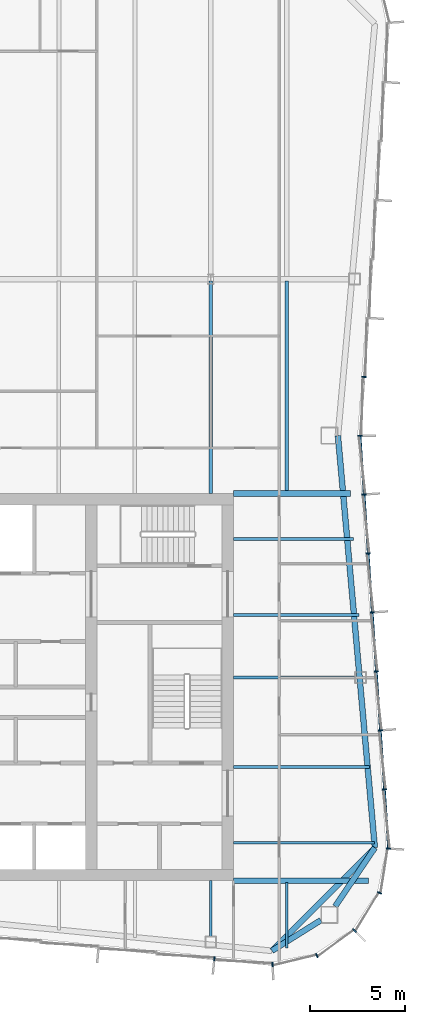
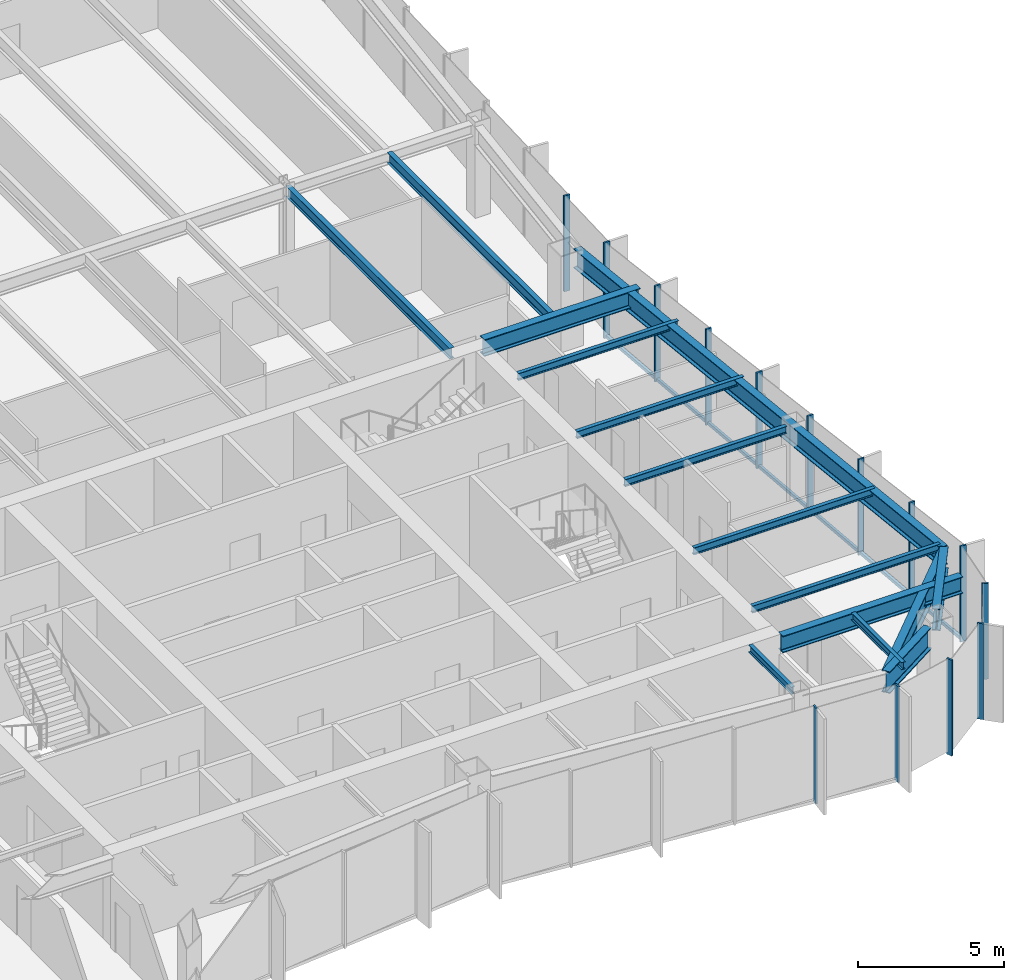
# One storey, part 5 of 13: 15 beams, 15 members, 3 elements without a shape of their own.
"""IFC4 building model written with IfcOpenShell, lengths in metres."""

from ifc_helpers import new_model, si_unit, direction, frame, origin, origin_2d, place, context, subcontext, project, spatial, rectangle, i_section, extrude, material, material_profile, profile_set, type_object, element, aggregate, save


model = new_model("IFC4")

# Units and contexts
model_context = context("Model", 3, precision=1e-05, world=origin(), true_north=direction((0.0, 1.0)))
body_context = subcontext(model_context, "Body", "Model", "MODEL_VIEW")
ifc_project = project(units=[si_unit("LENGTHUNIT", "METRE"), si_unit("AREAUNIT", "SQUARE_METRE"), si_unit("VOLUMEUNIT", "CUBIC_METRE"), si_unit("PLANEANGLEUNIT", "RADIAN"), si_unit("MASSUNIT", "GRAM", prefix="KILO")], contexts=[model_context])

# Site, building, storey
site_placement = place(None, origin())
site = spatial("IfcSite", under=ifc_project, at=site_placement, CompositionType="ELEMENT")
building_placement = place(site_placement, origin())
building = spatial("IfcBuilding", under=site, at=building_placement, Name="Verdant Reach Tower", CompositionType="ELEMENT")
storey_placement = place(building_placement, frame((0.0, 0.0, 330.0)))
storey = spatial("IfcBuildingStorey", under=building, at=storey_placement, Name="L76", CompositionType="ELEMENT", Elevation=330.0)

# Curtain wall, members
ifc_material_1 = material(Name="Anodised aluminium", Category="aluminium")
curtain_wall_type = type_object("IfcCurtainWallType", Name="EN-CW SYSTEM Z5", PredefinedType="NOTDEFINED", material=ifc_material_1)
curtain_wall_1_placement = place(storey_placement, origin())
curtain_wall_1 = element("IfcCurtainWall", 1, at=curtain_wall_1_placement, inside=storey, type_object=curtain_wall_type, Name="Curtain wall south-east corner, L76", PredefinedType="NOTDEFINED")
ifc_material_profile_1 = material_profile(ifc_material_1, rectangle(XDim=0.22998046875, YDim=0.070068359375, at=origin_2d()), Name="Mullion 70x230")
ifc_profile_set_1 = profile_set([ifc_material_profile_1], Name="Anodised aluminium")
member_type_1 = type_object("IfcMemberType", Name="EN-MULLION Z5", PredefinedType="MULLION", material=ifc_profile_set_1)
member_1_placement = place(storey_placement, frame((15.255615234375, 13.38525390625, -0.35009765625), z_axis=(0.0, 0.0, 1.0), x_axis=(0.049127596288, -0.998792510626, 0.0)))
member_1 = element("IfcMember", 2, at=member_1_placement, type_object=member_type_1, Name="Mullion south-east corner 1, L76", PredefinedType="MULLION", context=body_context, shape_type="SweptSolid", body=[
    extrude(rectangle(XDim=0.22998046875, YDim=0.070068359375, at=origin_2d()), origin(), (0.0, 0.0, 1.0), 4.0),
])
member_2_placement = place(storey_placement, frame((17.590087890625, 13.850341796875, -0.35009765625), z_axis=(0.0, 0.0, 1.0), x_axis=(0.382693853776, -0.923875215753, 0.0)))
member_2 = element("IfcMember", 3, at=member_2_placement, type_object=member_type_1, Name="Mullion south-east corner 2, L76", PredefinedType="MULLION", context=body_context, shape_type="SweptSolid", body=[
    extrude(rectangle(XDim=0.22998046875, YDim=0.070068359375, at=origin_2d()), origin(), (0.0, 0.0, 1.0), 4.0),
])
member_3_placement = place(storey_placement, frame((19.573974609375, 15.176025390625, -0.35009765625), z_axis=(0.0, 0.0, 1.0), x_axis=(0.707106781187, -0.707106781187, 0.0)))
member_3 = element("IfcMember", 4, at=member_3_placement, type_object=member_type_1, Name="Mullion south-east corner 3, L76", PredefinedType="MULLION", context=body_context, shape_type="SweptSolid", body=[
    extrude(rectangle(XDim=0.22998046875, YDim=0.070068359375, at=origin_2d()), origin(), (0.0, 0.0, 1.0), 4.0),
])
member_4_placement = place(storey_placement, frame((20.899658203125, 17.159912109375, -0.35009765625), z_axis=(0.0, 0.0, 1.0), x_axis=(0.923875215753, -0.382693853776, 0.0)))
member_4 = element("IfcMember", 5, at=member_4_placement, type_object=member_type_1, Name="Mullion south-east corner 4, L76", PredefinedType="MULLION", context=body_context, shape_type="SweptSolid", body=[
    extrude(rectangle(XDim=0.22998046875, YDim=0.070068359375, at=origin_2d()), origin(), (0.0, 0.0, 1.0), 4.0),
])
aggregate(curtain_wall_1, [member_1, member_2, member_3, member_4])

curtain_wall_2_placement = place(storey_placement, origin())
curtain_wall_2 = element("IfcCurtainWall", 6, at=curtain_wall_2_placement, inside=storey, type_object=curtain_wall_type, Name="Curtain wall east, L76", PredefinedType="NOTDEFINED")
member_5_placement = place(storey_placement, frame((21.36474609375, 19.49267578125, -0.35009765625), z_axis=(0.0, 0.0, 1.0), x_axis=(0.997969180898, -0.063698618332, 0.0)))
member_5 = element("IfcMember", 7, at=member_5_placement, type_object=member_type_1, Name="Mullion east face part 1 1, L76", PredefinedType="MULLION", context=body_context, shape_type="SweptSolid", body=[
    extrude(rectangle(XDim=0.22998046875, YDim=0.070068359375, at=origin_2d()), origin(), (0.0, 0.0, 1.0), 4.0),
])
member_6_placement = place(storey_placement, frame((21.150390625, 22.614990234375, -0.35009765625), z_axis=(0.0, 0.0, 1.0), x_axis=(0.997630328423, 0.068802091615, 0.0)))
member_6 = element("IfcMember", 8, at=member_6_placement, type_object=member_type_1, Name="Mullion east face part 1 2, L76", PredefinedType="MULLION", context=body_context, shape_type="SweptSolid", body=[
    extrude(rectangle(XDim=0.22998046875, YDim=0.070068359375, at=origin_2d()), origin(), (0.0, 0.0, 1.0), 4.0),
])
member_7_placement = place(storey_placement, frame((20.93603515625, 25.72216796875, -0.35009765625), z_axis=(0.0, 0.0, 1.0), x_axis=(0.997630328423, 0.068802091615, 0.0)))
member_7 = element("IfcMember", 9, at=member_7_placement, type_object=member_type_1, Name="Mullion east face part 1 3, L76", PredefinedType="MULLION", context=body_context, shape_type="SweptSolid", body=[
    extrude(rectangle(XDim=0.22998046875, YDim=0.070068359375, at=origin_2d()), origin(), (0.0, 0.0, 1.0), 4.0),
])
member_8_placement = place(storey_placement, frame((20.721923828125, 28.829345703125, -0.35009765625), z_axis=(0.0, 0.0, 1.0), x_axis=(0.997630328423, 0.068802091615, 0.0)))
member_8 = element("IfcMember", 10, at=member_8_placement, type_object=member_type_1, Name="Mullion east face part 1 4, L76", PredefinedType="MULLION", context=body_context, shape_type="SweptSolid", body=[
    extrude(rectangle(XDim=0.22998046875, YDim=0.070068359375, at=origin_2d()), origin(), (0.0, 0.0, 1.0), 4.0),
])
member_9_placement = place(storey_placement, frame((20.507568359375, 31.9365234375, -0.35009765625), z_axis=(0.0, 0.0, 1.0), x_axis=(0.997630328423, 0.068802091615, 0.0)))
member_9 = element("IfcMember", 11, at=member_9_placement, type_object=member_type_1, Name="Mullion east face part 1 5, L76", PredefinedType="MULLION", context=body_context, shape_type="SweptSolid", body=[
    extrude(rectangle(XDim=0.22998046875, YDim=0.070068359375, at=origin_2d()), origin(), (0.0, 0.0, 1.0), 4.0),
])
member_10_placement = place(storey_placement, frame((20.293212890625, 35.043701171875, -0.35009765625), z_axis=(0.0, 0.0, 1.0), x_axis=(0.997630328423, 0.068802091615, 0.0)))
member_10 = element("IfcMember", 12, at=member_10_placement, type_object=member_type_1, Name="Mullion east face part 1 6, L76", PredefinedType="MULLION", context=body_context, shape_type="SweptSolid", body=[
    extrude(rectangle(XDim=0.22998046875, YDim=0.070068359375, at=origin_2d()), origin(), (0.0, 0.0, 1.0), 4.0),
])
member_11_placement = place(storey_placement, frame((20.0791015625, 38.15087890625, -0.35009765625), z_axis=(0.0, 0.0, 1.0), x_axis=(0.997630328423, 0.068802091615, 0.0)))
member_11 = element("IfcMember", 13, at=member_11_placement, type_object=member_type_1, Name="Mullion east face part 1 7, L76", PredefinedType="MULLION", context=body_context, shape_type="SweptSolid", body=[
    extrude(rectangle(XDim=0.22998046875, YDim=0.070068359375, at=origin_2d()), origin(), (0.0, 0.0, 1.0), 4.0),
])
member_12_placement = place(storey_placement, frame((19.864990234375, 41.25, -0.35009765625), z_axis=(0.0, 0.0, 1.0), x_axis=(1.0, 0.0, 0.0)))
member_12 = element("IfcMember", 14, at=member_12_placement, type_object=member_type_1, Name="Mullion east face part 2 1, L76", PredefinedType="MULLION", context=body_context, shape_type="SweptSolid", body=[
    extrude(rectangle(XDim=0.22998046875, YDim=0.070068359375, at=origin_2d()), origin(), (0.0, 0.0, 1.0), 4.0),
])
member_13_placement = place(storey_placement, frame((20.0791015625, 44.34912109375, -0.35009765625), z_axis=(0.0, 0.0, 1.0), x_axis=(0.997630328423, -0.068802091615, 0.0)))
member_13 = element("IfcMember", 15, at=member_13_placement, type_object=member_type_1, Name="Mullion east face part 2 2, L76", PredefinedType="MULLION", context=body_context, shape_type="SweptSolid", body=[
    extrude(rectangle(XDim=0.22998046875, YDim=0.070068359375, at=origin_2d()), origin(), (0.0, 0.0, 1.0), 4.0),
])

# Curtain wall, member
curtain_wall_3_placement = place(storey_placement, origin())
curtain_wall_3 = element("IfcCurtainWall", 16, at=curtain_wall_3_placement, inside=storey, type_object=curtain_wall_type, Name="Curtain wall south, L76", PredefinedType="NOTDEFINED")
member_14_placement = place(storey_placement, frame((12.188720703125, 13.685546875, -0.35009765625), z_axis=(0.0, 0.0, 1.0), x_axis=(-0.09788826992, -0.995197410875, 0.0)))
member_14 = element("IfcMember", 17, at=member_14_placement, type_object=member_type_1, Name="Mullion south face part 2 5, L76", PredefinedType="MULLION", context=body_context, shape_type="SweptSolid", body=[
    extrude(rectangle(XDim=0.22998046875, YDim=0.070068359375, at=origin_2d()), origin(), (0.0, 0.0, 1.0), 4.0),
])
aggregate(curtain_wall_3, [member_14])

# Member
ifc_material_profile_2 = material_profile(ifc_material_1, rectangle(XDim=0.10009765625, YDim=0.1298828125, at=origin_2d()), Name="Transom 130x100")
ifc_profile_set_2 = profile_set([ifc_material_profile_2], Name="Anodised aluminium")
member_type_2 = type_object("IfcMemberType", Name="EN-TRANSOM Z5", PredefinedType="USERDEFINED", material=ifc_profile_set_2)
member_15_placement = place(storey_placement, frame((21.3623046875, 19.527587890625, -0.284912109375), z_axis=(-0.068764705107, 0.997632906099, 0.0), x_axis=(-0.997632906099, -0.068764705107, 0.0)))
member_15 = element("IfcMember", 18, at=member_15_placement, type_object=member_type_2, Name="Transom east face part 1 1.1, L76", ObjectType="TRANSOM", PredefinedType="USERDEFINED", context=body_context, shape_type="SweptSolid", body=[
    extrude(rectangle(XDim=0.10009765625, YDim=0.1298828125, at=origin_2d()), origin(), (0.0, 0.0, 1.0), 21.739013671875),
])

aggregate(curtain_wall_2, [member_5, member_6, member_7, member_8, member_9, member_10, member_11, member_15, member_12, member_13])

# Beams
ifc_material_2 = material(Name="Steel S355", Category="steel")
ifc_material_profile_3 = material_profile(ifc_material_2, i_section(OverallWidth=0.300048828125, OverallDepth=0.699951171875, WebThickness=0.01708984375, FlangeThickness=0.031982421875, FilletRadius=0.027099609375, at=origin_2d()), Name="HEB 700")
ifc_profile_set_3 = profile_set([ifc_material_profile_3], Name="Steel S355")
beam_type_1 = type_object("IfcBeamType", Name="ST-BEAM-HEB700", PredefinedType="BEAM", material=ifc_profile_set_3)
beam_1_placement = place(storey_placement, frame((13.199951171875, 38.199951171875, 3.469970703125), z_axis=(1.0, 0.0, 0.0), x_axis=(0.0, 1.0, 0.0)))
element("IfcBeam", 19, at=beam_1_placement, inside=storey, type_object=beam_type_1, Name="Trimmer beam, L76", PredefinedType="BEAM", context=body_context, shape_type="SweptSolid", body=[
    extrude(i_section(OverallWidth=0.300048828125, OverallDepth=0.699951171875, WebThickness=0.01708984375, FlangeThickness=0.031982421875, FilletRadius=0.027099609375, at=origin_2d()), origin(), (0.0, 0.0, 1.0), 6.158935546875),
])
beam_2_placement = place(storey_placement, frame((13.199951171875, 17.800048828125, 3.469970703125), z_axis=(1.0, 0.0, 0.0), x_axis=(0.0, 1.0, 0.0)))
element("IfcBeam", 20, at=beam_2_placement, inside=storey, type_object=beam_type_1, Name="Trimmer beam, L76", PredefinedType="BEAM", context=body_context, shape_type="SweptSolid", body=[
    extrude(i_section(OverallWidth=0.300048828125, OverallDepth=0.699951171875, WebThickness=0.01708984375, FlangeThickness=0.031982421875, FilletRadius=0.027099609375, at=origin_2d()), origin(), (0.0, 0.0, 1.0), 7.10009765625),
])
ifc_material_profile_4 = material_profile(ifc_material_2, i_section(OverallWidth=0.302001953125, OverallDepth=0.909912109375, WebThickness=0.02099609375, FlangeThickness=0.0400390625, FilletRadius=0.030029296875, at=origin_2d()), Name="HEM 900")
ifc_profile_set_4 = profile_set([ifc_material_profile_4], Name="Steel S355")
beam_type_2 = type_object("IfcBeamType", Name="ST-BEAM-HEM900", PredefinedType="BEAM", material=ifc_profile_set_4)
beam_3_placement = place(storey_placement, frame((17.800048828125, 15.71875, 3.364990234375), z_axis=(-0.847903624467, -0.530150397166, 0.0), x_axis=(0.530150397166, -0.847903624467, 0.0)))
element("IfcBeam", 21, at=beam_3_placement, inside=storey, type_object=beam_type_2, Name="Column stub beam, L76", PredefinedType="BEAM", context=body_context, shape_type="SweptSolid", body=[
    extrude(i_section(OverallWidth=0.302001953125, OverallDepth=0.909912109375, WebThickness=0.02099609375, FlangeThickness=0.0400390625, FilletRadius=0.030029296875, at=origin_2d()), origin(), (0.0, 0.0, 1.0), 3.042724609375),
])
beam_4_placement = place(storey_placement, frame((18.5546875, 16.449951171875, 3.364990234375), z_axis=(0.560667226688, 0.828041219335, 0.0), x_axis=(-0.828041219335, 0.560667226688, 0.0)))
element("IfcBeam", 22, at=beam_4_placement, inside=storey, type_object=beam_type_2, Name="Column stub beam, L76", PredefinedType="BEAM", context=body_context, shape_type="SweptSolid", body=[
    extrude(i_section(OverallWidth=0.302001953125, OverallDepth=0.909912109375, WebThickness=0.02099609375, FlangeThickness=0.0400390625, FilletRadius=0.030029296875, at=origin_2d()), origin(), (0.0, 0.0, 1.0), 3.72998046875),
])
ifc_material_profile_5 = material_profile(ifc_material_2, i_section(OverallWidth=0.14990234375, OverallDepth=0.300048828125, WebThickness=0.007080078125, FlangeThickness=0.0107421875, FilletRadius=0.014892578125, at=origin_2d()), Name="IPE 300")
ifc_profile_set_5 = profile_set([ifc_material_profile_5], Name="Steel S355")
beam_type_3 = type_object("IfcBeamType", Name="ST-JOIST-IPE300", PredefinedType="JOIST", material=ifc_profile_set_5)
beam_5_placement = place(storey_placement, frame((12.0, 17.800048828125, 3.669921875), z_axis=(0.0, -1.0, 0.0), x_axis=(1.0, 0.0, 0.0)))
element("IfcBeam", 23, at=beam_5_placement, inside=storey, type_object=beam_type_3, Name="Floor joist, L76", PredefinedType="JOIST", context=body_context, shape_type="SweptSolid", body=[
    extrude(i_section(OverallWidth=0.14990234375, OverallDepth=0.300048828125, WebThickness=0.007080078125, FlangeThickness=0.0107421875, FilletRadius=0.014892578125, at=origin_2d()), origin(), (0.0, 0.0, 1.0), 2.930419921875),
])
beam_6_placement = place(storey_placement, frame((16.0, 17.699951171875, 3.669921875), z_axis=(0.0, -1.0, 0.0), x_axis=(1.0, 0.0, 0.0)))
element("IfcBeam", 24, at=beam_6_placement, inside=storey, type_object=beam_type_3, Name="Floor joist, L76", PredefinedType="JOIST", context=body_context, shape_type="SweptSolid", body=[
    extrude(i_section(OverallWidth=0.14990234375, OverallDepth=0.300048828125, WebThickness=0.007080078125, FlangeThickness=0.0107421875, FilletRadius=0.014892578125, at=origin_2d()), origin(), (0.0, 0.0, 1.0), 3.43896484375),
])
beam_7_placement = place(storey_placement, frame((13.199951171875, 19.800048828125, 3.669921875), z_axis=(1.0, 0.0, 0.0), x_axis=(0.0, 1.0, 0.0)))
element("IfcBeam", 25, at=beam_7_placement, inside=storey, type_object=beam_type_3, Name="Floor joist, L76", PredefinedType="JOIST", context=body_context, shape_type="SweptSolid", body=[
    extrude(i_section(OverallWidth=0.14990234375, OverallDepth=0.300048828125, WebThickness=0.007080078125, FlangeThickness=0.0107421875, FilletRadius=0.014892578125, at=origin_2d()), origin(), (0.0, 0.0, 1.0), 7.427978515625),
])
beam_8_placement = place(storey_placement, frame((13.199951171875, 23.800048828125, 3.669921875), z_axis=(1.0, 0.0, 0.0), x_axis=(0.0, 1.0, 0.0)))
element("IfcBeam", 26, at=beam_8_placement, inside=storey, type_object=beam_type_3, Name="Floor joist, L76", PredefinedType="JOIST", context=body_context, shape_type="SweptSolid", body=[
    extrude(i_section(OverallWidth=0.14990234375, OverallDepth=0.300048828125, WebThickness=0.007080078125, FlangeThickness=0.0107421875, FilletRadius=0.014892578125, at=origin_2d()), origin(), (0.0, 0.0, 1.0), 7.152099609375),
])
beam_9_placement = place(storey_placement, frame((13.199951171875, 28.5, 3.669921875), z_axis=(1.0, 0.0, 0.0), x_axis=(0.0, 1.0, 0.0)))
element("IfcBeam", 27, at=beam_9_placement, inside=storey, type_object=beam_type_3, Name="Floor joist, L76", PredefinedType="JOIST", context=body_context, shape_type="SweptSolid", body=[
    extrude(i_section(OverallWidth=0.14990234375, OverallDepth=0.300048828125, WebThickness=0.007080078125, FlangeThickness=0.0107421875, FilletRadius=0.014892578125, at=origin_2d()), origin(), (0.0, 0.0, 1.0), 6.37939453125),
])
beam_10_placement = place(storey_placement, frame((13.199951171875, 31.800048828125, 3.669921875), z_axis=(1.0, 0.0, 0.0), x_axis=(0.0, 1.0, 0.0)))
element("IfcBeam", 28, at=beam_10_placement, inside=storey, type_object=beam_type_3, Name="Floor joist, L76", PredefinedType="JOIST", context=body_context, shape_type="SweptSolid", body=[
    extrude(i_section(OverallWidth=0.14990234375, OverallDepth=0.300048828125, WebThickness=0.007080078125, FlangeThickness=0.0107421875, FilletRadius=0.014892578125, at=origin_2d()), origin(), (0.0, 0.0, 1.0), 6.600341796875),
])
beam_11_placement = place(storey_placement, frame((13.199951171875, 35.800048828125, 3.669921875), z_axis=(1.0, 0.0, 0.0), x_axis=(0.0, 1.0, 0.0)))
element("IfcBeam", 29, at=beam_11_placement, inside=storey, type_object=beam_type_3, Name="Floor joist, L76", PredefinedType="JOIST", context=body_context, shape_type="SweptSolid", body=[
    extrude(i_section(OverallWidth=0.14990234375, OverallDepth=0.300048828125, WebThickness=0.007080078125, FlangeThickness=0.0107421875, FilletRadius=0.014892578125, at=origin_2d()), origin(), (0.0, 0.0, 1.0), 6.324462890625),
])
ifc_material_profile_6 = material_profile(ifc_material_2, i_section(OverallWidth=0.18994140625, OverallDepth=0.449951171875, WebThickness=0.009521484375, FlangeThickness=0.0146484375, FilletRadius=0.02099609375, at=origin_2d()), Name="IPE 450")
ifc_profile_set_6 = profile_set([ifc_material_profile_6], Name="Steel S355")
beam_type_4 = type_object("IfcBeamType", Name="ST-JOIST-IPE450", PredefinedType="JOIST", material=ifc_profile_set_6)
beam_12_placement = place(storey_placement, frame((12.0, 38.199951171875, 3.594970703125), z_axis=(0.0, 1.0, 0.0), x_axis=(-1.0, 0.0, 0.0)))
element("IfcBeam", 30, at=beam_12_placement, inside=storey, type_object=beam_type_4, Name="Floor joist, L76", PredefinedType="JOIST", context=body_context, shape_type="SweptSolid", body=[
    extrude(i_section(OverallWidth=0.18994140625, OverallDepth=0.449951171875, WebThickness=0.009521484375, FlangeThickness=0.0146484375, FilletRadius=0.02099609375, at=origin_2d()), origin(), (0.0, 0.0, 1.0), 11.199951171875),
])
beam_13_placement = place(storey_placement, frame((16.0, 38.300048828125, 3.594970703125), z_axis=(0.0, 1.0, 0.0), x_axis=(-1.0, 0.0, 0.0)))
element("IfcBeam", 31, at=beam_13_placement, inside=storey, type_object=beam_type_4, Name="Floor joist, L76", PredefinedType="JOIST", context=body_context, shape_type="SweptSolid", body=[
    extrude(i_section(OverallWidth=0.18994140625, OverallDepth=0.449951171875, WebThickness=0.009521484375, FlangeThickness=0.0146484375, FilletRadius=0.02099609375, at=origin_2d()), origin(), (0.0, 0.0, 1.0), 11.099853515625),
])
ifc_material_profile_7 = material_profile(ifc_material_2, i_section(OverallWidth=0.300048828125, OverallDepth=0.800048828125, WebThickness=0.017578125, FlangeThickness=0.032958984375, FilletRadius=0.030029296875, at=origin_2d()), Name="HEB 800")
ifc_profile_set_7 = profile_set([ifc_material_profile_7], Name="Steel S355")
beam_type_5 = type_object("IfcBeamType", Name="ST-SPANDREL-HEB800", PredefinedType="SPANDREL", material=ifc_profile_set_7)
beam_14_placement = place(storey_placement, frame((18.699951171875, 41.25, 3.419921875), z_axis=(0.089274399498, -0.996007069048, 0.0), x_axis=(0.996007069048, 0.089274399498, 0.0)))
element("IfcBeam", 32, at=beam_14_placement, inside=storey, type_object=beam_type_5, Name="Edge beam, L76", PredefinedType="SPANDREL", context=body_context, shape_type="SweptSolid", body=[
    extrude(i_section(OverallWidth=0.300048828125, OverallDepth=0.800048828125, WebThickness=0.017578125, FlangeThickness=0.032958984375, FilletRadius=0.030029296875, at=origin_2d()), origin(), (0.0, 0.0, 1.0), 21.798583984375),
])
ifc_material_profile_8 = material_profile(ifc_material_2, i_section(OverallWidth=0.302001953125, OverallDepth=0.909912109375, WebThickness=0.02099609375, FlangeThickness=0.0400390625, FilletRadius=0.030029296875, at=origin_2d()), Name="HEM 900")
ifc_profile_set_8 = profile_set([ifc_material_profile_8], Name="Steel S355")
beam_type_6 = type_object("IfcBeamType", Name="ST-SPANDREL-HEM900", PredefinedType="SPANDREL", material=ifc_profile_set_8)
beam_15_placement = place(storey_placement, frame((20.64599609375, 19.53857421875, 3.364990234375), z_axis=(-0.706645581521, -0.707567680237, 0.0), x_axis=(0.707567680237, -0.706645581521, 0.0)))
element("IfcBeam", 33, at=beam_15_placement, inside=storey, type_object=beam_type_6, Name="Edge beam, L76", PredefinedType="SPANDREL", context=body_context, shape_type="SweptSolid", body=[
    extrude(i_section(OverallWidth=0.302001953125, OverallDepth=0.909912109375, WebThickness=0.02099609375, FlangeThickness=0.0400390625, FilletRadius=0.030029296875, at=origin_2d()), origin(), (0.0, 0.0, 1.0), 7.67822265625),
])

save(model, "model.ifc")
